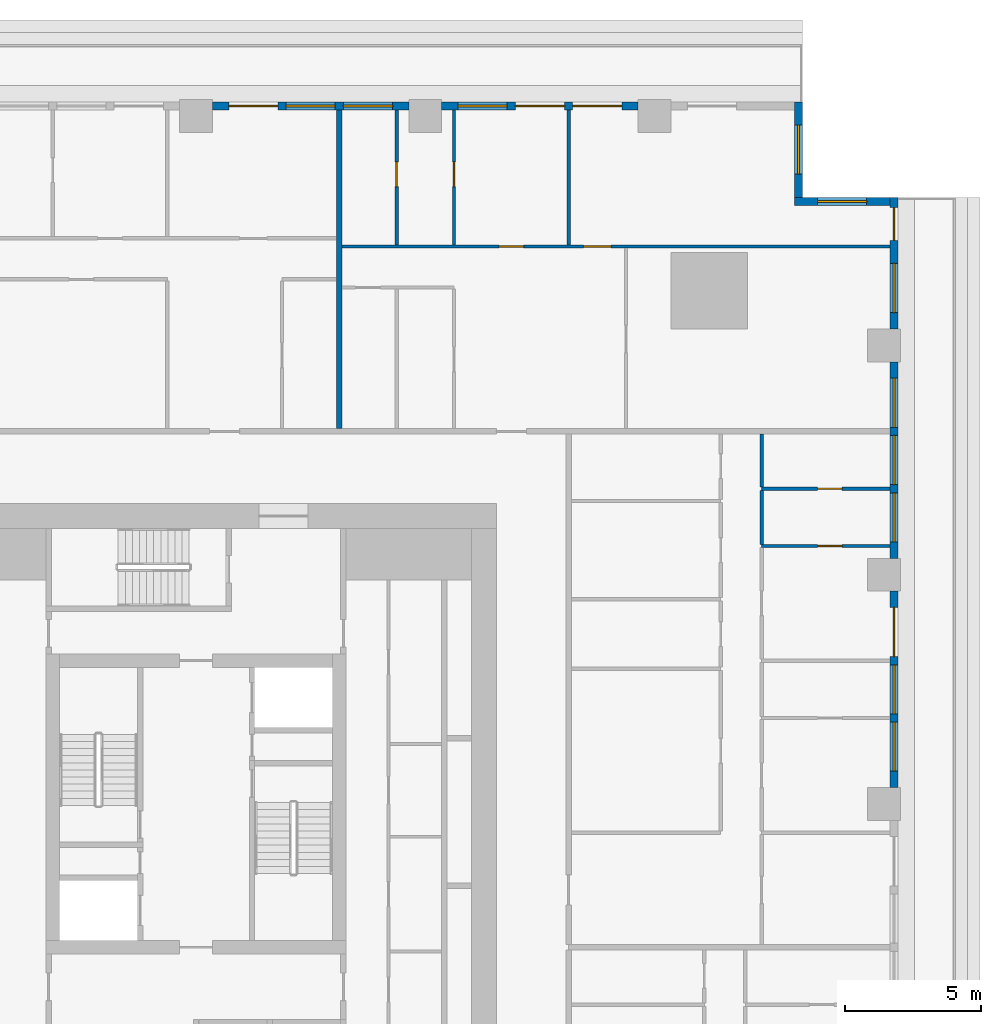
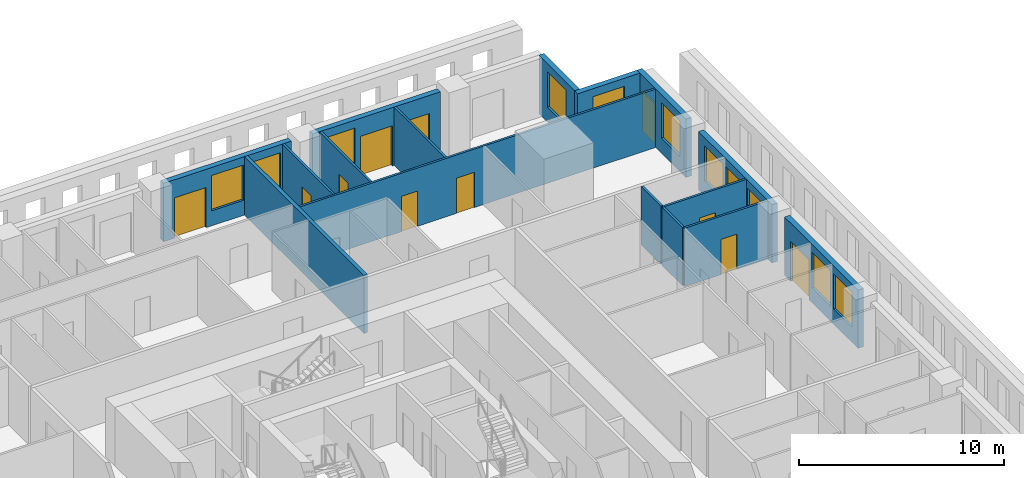
# One storey, part 9 of 15: 16 walls, 11 doors, 11 windows, 22 openings.
"""IFC4 building model written with IfcOpenShell, lengths in metres."""

from ifc_helpers import new_model, si_unit, direction, frame, frame_2d, origin, place, context, subcontext, project, spatial, rectangle, extrude, material, layer, layer_set, type_object, element, fill, save


model = new_model("IFC4")

# Units and contexts
model_context = context("Model", 3, precision=1e-05, world=origin(), true_north=direction((0.0, 1.0)))
body_context = subcontext(model_context, "Body", "Model", "MODEL_VIEW")
ifc_project = project(units=[si_unit("LENGTHUNIT", "METRE"), si_unit("AREAUNIT", "SQUARE_METRE"), si_unit("VOLUMEUNIT", "CUBIC_METRE"), si_unit("PLANEANGLEUNIT", "RADIAN"), si_unit("MASSUNIT", "GRAM", prefix="KILO")], contexts=[model_context])

# Site, building, storey
site_placement = place(None, origin())
site = spatial("IfcSite", under=ifc_project, at=site_placement, CompositionType="ELEMENT")
building_placement = place(site_placement, origin())
building = spatial("IfcBuilding", under=site, at=building_placement, Name="Khepri Terraces", CompositionType="ELEMENT")
storey_placement = place(building_placement, frame((0.0, 0.0, 98.699951171875)))
storey = spatial("IfcBuildingStorey", under=building, at=storey_placement, Name="L23", CompositionType="ELEMENT", Elevation=98.699951171875)

# Wall
ifc_material_1 = material(Name="Fire-rated gypsum plasterboard partition, mineral wool")
ifc_layer_1 = layer(ifc_material_1, 0.199951171875, Name="Fire-rated gypsum plasterboard partition, mineral wool")
ifc_layer_set_1 = layer_set([ifc_layer_1], Name="Fire-rated gypsum plasterboard partition, mineral wool")
wall_type_1 = type_object("IfcWallType", Name="WL-CORR-200", PredefinedType="PARTITIONING", material=ifc_layer_set_1)
wall_1_placement = place(storey_placement, frame((5.25, 13.75, 0.0), z_axis=(0.0, 0.0, 1.0), x_axis=(0.0, 1.0, 0.0)))
element("IfcWall", 1, at=wall_1_placement, inside=storey, type_object=wall_type_1, Name="Partition P-088 L23", PredefinedType="PARTITIONING", context=body_context, shape_type="SweptSolid", body=[
    extrude(rectangle(XDim=11.669921875, YDim=0.199951171875, at=frame_2d((5.8349609375, 0.0))), origin(), (0.0, 0.0, 1.0), 3.47998046875),
])

# Wall, openings, door, windows
ifc_material_2 = material(Name="Precast concrete C50/60 warm stone", Category="masonry")
ifc_layer_2 = layer(ifc_material_2, 0.300048828125, Name="Precast concrete C50/60 warm stone", Category="masonry")
ifc_layer_set_2 = layer_set([ifc_layer_2], Name="Precast concrete C50/60 warm stone")
wall_type_2 = type_object("IfcWallType", Name="WL-EXT-PRECAST-300", PredefinedType="STANDARD", material=ifc_layer_set_2)
wall_2_placement = place(storey_placement, frame((25.570068359375, 0.60009765625, 0.0), z_axis=(0.0, 0.0, 1.0), x_axis=(0.0, 1.0, 0.0)))
wall_2 = element("IfcWall", 2, at=wall_2_placement, inside=storey, type_object=wall_type_2, Name="External wall L23 E", PredefinedType="STANDARD", context=body_context, shape_type="SweptSolid", body=[
    extrude(rectangle(XDim=7.199951171875, YDim=0.300048828125, at=frame_2d((3.60009765625, 0.0))), origin(), (0.0, 0.0, 1.0), 3.47998046875),
])
opening_1_placement = place(wall_2_placement, frame((0.60009765625, 0.0, 0.89990234375)))
opening_1 = element("IfcOpeningElement", 3, at=opening_1_placement, cuts=wall_2, Name="Opening W1", PredefinedType="OPENING", context=body_context, shape_type="SweptSolid", body=[
    extrude(rectangle(XDim=1.800048828125, YDim=2.10009765625, at=frame_2d((0.89990234375, 1.050048828125))), frame((0.0, 0.16015625, 0.0), z_axis=(0.0, -1.0, 0.0), x_axis=(1.0, 0.0, 0.0)), (0.0, 0.0, 1.0), 0.320068359375),
])
opening_2_placement = place(wall_2_placement, frame((2.699951171875, 0.0, 0.89990234375)))
opening_2 = element("IfcOpeningElement", 4, at=opening_2_placement, cuts=wall_2, Name="Opening W1", PredefinedType="OPENING", context=body_context, shape_type="SweptSolid", body=[
    extrude(rectangle(XDim=1.800048828125, YDim=2.10009765625, at=frame_2d((0.89990234375, 1.050048828125))), frame((0.0, 0.16015625, 0.0), z_axis=(0.0, -1.0, 0.0), x_axis=(1.0, 0.0, 0.0)), (0.0, 0.0, 1.0), 0.320068359375),
])
opening_3_placement = place(wall_2_placement, frame((4.800048828125, 0.0, 0.0)))
opening_3 = element("IfcOpeningElement", 5, at=opening_3_placement, cuts=wall_2, Name="Opening ED-L23-05", PredefinedType="OPENING", context=body_context, shape_type="SweptSolid", body=[
    extrude(rectangle(XDim=1.800048828125, YDim=2.39990234375, at=frame_2d((0.89990234375, 1.199951171875))), frame((0.0, 0.16015625, 0.0), z_axis=(0.0, -1.0, 0.0), x_axis=(1.0, 0.0, 0.0)), (0.0, 0.0, 1.0), 0.320068359375),
])
ifc_material_3 = material(Name="Anodised aluminium bronze glazed door", Category="aluminium")
door_type_1 = type_object("IfcDoorType", Name="DR-BAL-SLIDE-1800x2400", OperationType="NOTDEFINED", PredefinedType="DOOR", material=ifc_material_3)
door_1_placement = place(opening_3_placement, origin())
door_1 = element("IfcDoor", 6, at=door_1_placement, inside=storey, type_object=door_type_1, Name="Balcony door L23 E", OperationType="SLIDING_TO_RIGHT", OverallHeight=2.39990234375, OverallWidth=1.800048828125, PredefinedType="DOOR", context=body_context, shape_type="SweptSolid", body=[
    extrude(rectangle(XDim=1.800048828125, YDim=2.39990234375, at=frame_2d((0.89990234375, 1.199951171875))), frame((0.0, 0.02490234375, 0.0), z_axis=(0.0, -1.0, 0.0), x_axis=(1.0, 0.0, 0.0)), (0.0, 0.0, 1.0), 0.050048828125),
])
fill(opening_3, door_1)
ifc_material_4 = material(Name="Clear glass", Category="glass")
window_type = type_object("IfcWindowType", Name="WIN-RES-1800x2100", PartitioningType="SINGLE_PANEL", PredefinedType="WINDOW", material=ifc_material_4)
window_1_placement = place(opening_1_placement, origin())
window_1 = element("IfcWindow", 7, at=window_1_placement, inside=storey, type_object=window_type, Name="Window L23 E", OverallHeight=2.10009765625, OverallWidth=1.800048828125, PartitioningType="SINGLE_PANEL", PredefinedType="WINDOW", context=body_context, shape_type="SweptSolid", body=[
    extrude(rectangle(XDim=1.800048828125, YDim=2.10009765625, at=frame_2d((0.89990234375, 1.050048828125))), frame((0.0, 0.030029296875, 0.0), z_axis=(0.0, -1.0, 0.0), x_axis=(1.0, 0.0, 0.0)), (0.0, 0.0, 1.0), 0.06005859375),
])
fill(opening_1, window_1)
window_2_placement = place(opening_2_placement, origin())
window_2 = element("IfcWindow", 8, at=window_2_placement, inside=storey, type_object=window_type, Name="Window L23 E", OverallHeight=2.10009765625, OverallWidth=1.800048828125, PartitioningType="SINGLE_PANEL", PredefinedType="WINDOW", context=body_context, shape_type="SweptSolid", body=[
    extrude(rectangle(XDim=1.800048828125, YDim=2.10009765625, at=frame_2d((0.89990234375, 1.050048828125))), frame((0.0, 0.030029296875, 0.0), z_axis=(0.0, -1.0, 0.0), x_axis=(1.0, 0.0, 0.0)), (0.0, 0.0, 1.0), 0.06005859375),
])
fill(opening_2, window_2)

# Wall, openings, windows
wall_3_placement = place(storey_placement, frame((25.570068359375, 9.0, 0.0), z_axis=(0.0, 0.0, 1.0), x_axis=(0.0, 1.0, 0.0)))
wall_3 = element("IfcWall", 9, at=wall_3_placement, inside=storey, type_object=wall_type_2, Name="External wall L23 E", PredefinedType="STANDARD", context=body_context, shape_type="SweptSolid", body=[
    extrude(rectangle(XDim=7.199951171875, YDim=0.300048828125, at=frame_2d((3.60009765625, 0.0))), origin(), (0.0, 0.0, 1.0), 3.47998046875),
])
opening_4_placement = place(wall_3_placement, frame((0.60009765625, 0.0, 0.89990234375)))
opening_4 = element("IfcOpeningElement", 10, at=opening_4_placement, cuts=wall_3, Name="Opening W1", PredefinedType="OPENING", context=body_context, shape_type="SweptSolid", body=[
    extrude(rectangle(XDim=1.800048828125, YDim=2.10009765625, at=frame_2d((0.89990234375, 1.050048828125))), frame((0.0, 0.16015625, 0.0), z_axis=(0.0, -1.0, 0.0), x_axis=(1.0, 0.0, 0.0)), (0.0, 0.0, 1.0), 0.320068359375),
])
opening_5_placement = place(wall_3_placement, frame((2.699951171875, 0.0, 0.89990234375)))
opening_5 = element("IfcOpeningElement", 11, at=opening_5_placement, cuts=wall_3, Name="Opening W1", PredefinedType="OPENING", context=body_context, shape_type="SweptSolid", body=[
    extrude(rectangle(XDim=1.800048828125, YDim=2.10009765625, at=frame_2d((0.89990234375, 1.050048828125))), frame((0.0, 0.16015625, 0.0), z_axis=(0.0, -1.0, 0.0), x_axis=(1.0, 0.0, 0.0)), (0.0, 0.0, 1.0), 0.320068359375),
])
opening_6_placement = place(wall_3_placement, frame((4.800048828125, 0.0, 0.89990234375)))
opening_6 = element("IfcOpeningElement", 12, at=opening_6_placement, cuts=wall_3, Name="Opening W1", PredefinedType="OPENING", context=body_context, shape_type="SweptSolid", body=[
    extrude(rectangle(XDim=1.800048828125, YDim=2.10009765625, at=frame_2d((0.89990234375, 1.050048828125))), frame((0.0, 0.16015625, 0.0), z_axis=(0.0, -1.0, 0.0), x_axis=(1.0, 0.0, 0.0)), (0.0, 0.0, 1.0), 0.320068359375),
])
window_3_placement = place(opening_4_placement, origin())
window_3 = element("IfcWindow", 13, at=window_3_placement, inside=storey, type_object=window_type, Name="Window L23 E", OverallHeight=2.10009765625, OverallWidth=1.800048828125, PartitioningType="SINGLE_PANEL", PredefinedType="WINDOW", context=body_context, shape_type="SweptSolid", body=[
    extrude(rectangle(XDim=1.800048828125, YDim=2.10009765625, at=frame_2d((0.89990234375, 1.050048828125))), frame((0.0, 0.030029296875, 0.0), z_axis=(0.0, -1.0, 0.0), x_axis=(1.0, 0.0, 0.0)), (0.0, 0.0, 1.0), 0.06005859375),
])
fill(opening_4, window_3)
window_4_placement = place(opening_5_placement, origin())
window_4 = element("IfcWindow", 14, at=window_4_placement, inside=storey, type_object=window_type, Name="Window L23 E", OverallHeight=2.10009765625, OverallWidth=1.800048828125, PartitioningType="SINGLE_PANEL", PredefinedType="WINDOW", context=body_context, shape_type="SweptSolid", body=[
    extrude(rectangle(XDim=1.800048828125, YDim=2.10009765625, at=frame_2d((0.89990234375, 1.050048828125))), frame((0.0, 0.030029296875, 0.0), z_axis=(0.0, -1.0, 0.0), x_axis=(1.0, 0.0, 0.0)), (0.0, 0.0, 1.0), 0.06005859375),
])
fill(opening_5, window_4)
window_5_placement = place(opening_6_placement, origin())
window_5 = element("IfcWindow", 15, at=window_5_placement, inside=storey, type_object=window_type, Name="Window L23 E", OverallHeight=2.10009765625, OverallWidth=1.800048828125, PartitioningType="SINGLE_PANEL", PredefinedType="WINDOW", context=body_context, shape_type="SweptSolid", body=[
    extrude(rectangle(XDim=1.800048828125, YDim=2.10009765625, at=frame_2d((0.89990234375, 1.050048828125))), frame((0.0, 0.030029296875, 0.0), z_axis=(0.0, -1.0, 0.0), x_axis=(1.0, 0.0, 0.0)), (0.0, 0.0, 1.0), 0.06005859375),
])
fill(opening_6, window_5)

# Wall, openings, door, window
wall_4_placement = place(storey_placement, frame((25.570068359375, 17.39990234375, 0.0), z_axis=(0.0, 0.0, 1.0), x_axis=(0.0, 1.0, 0.0)))
wall_4 = element("IfcWall", 16, at=wall_4_placement, inside=storey, type_object=wall_type_2, Name="External wall L23 E", PredefinedType="STANDARD", context=body_context, shape_type="SweptSolid", body=[
    extrude(rectangle(XDim=4.820068359375, YDim=0.300048828125, at=frame_2d((2.41015625, 0.0))), origin(), (0.0, 0.0, 1.0), 3.47998046875),
])
opening_7_placement = place(wall_4_placement, frame((0.60009765625, 0.0, 0.89990234375)))
opening_7 = element("IfcOpeningElement", 17, at=opening_7_placement, cuts=wall_4, Name="Opening W1", PredefinedType="OPENING", context=body_context, shape_type="SweptSolid", body=[
    extrude(rectangle(XDim=1.800048828125, YDim=2.10009765625, at=frame_2d((0.89990234375, 1.050048828125))), frame((0.0, 0.16015625, 0.0), z_axis=(0.0, -1.0, 0.0), x_axis=(1.0, 0.0, 0.0)), (0.0, 0.0, 1.0), 0.320068359375),
])
opening_8_placement = place(wall_4_placement, frame((3.2451171875, 0.0, 0.0)))
opening_8 = element("IfcOpeningElement", 18, at=opening_8_placement, cuts=wall_4, Name="Opening ED-L23-06", PredefinedType="OPENING", context=body_context, shape_type="SweptSolid", body=[
    extrude(rectangle(XDim=1.199951171875, YDim=2.39990234375, at=frame_2d((0.60009765625, 1.199951171875))), frame((0.0, 0.16015625, 0.0), z_axis=(0.0, -1.0, 0.0), x_axis=(1.0, 0.0, 0.0)), (0.0, 0.0, 1.0), 0.320068359375),
])
door_type_2 = type_object("IfcDoorType", Name="DR-BAL-SLIDE-1200x2400", OperationType="NOTDEFINED", PredefinedType="DOOR", material=ifc_material_3)
door_2_placement = place(opening_8_placement, origin())
door_2 = element("IfcDoor", 19, at=door_2_placement, inside=storey, type_object=door_type_2, Name="Balcony door L23 E", OperationType="SLIDING_TO_RIGHT", OverallHeight=2.39990234375, OverallWidth=1.199951171875, PredefinedType="DOOR", context=body_context, shape_type="SweptSolid", body=[
    extrude(rectangle(XDim=1.199951171875, YDim=2.39990234375, at=frame_2d((0.60009765625, 1.199951171875))), frame((0.0, 0.02490234375, 0.0), z_axis=(0.0, -1.0, 0.0), x_axis=(1.0, 0.0, 0.0)), (0.0, 0.0, 1.0), 0.050048828125),
])
fill(opening_8, door_2)
window_6_placement = place(opening_7_placement, origin())
window_6 = element("IfcWindow", 20, at=window_6_placement, inside=storey, type_object=window_type, Name="Window L23 E", OverallHeight=2.10009765625, OverallWidth=1.800048828125, PartitioningType="SINGLE_PANEL", PredefinedType="WINDOW", context=body_context, shape_type="SweptSolid", body=[
    extrude(rectangle(XDim=1.800048828125, YDim=2.10009765625, at=frame_2d((0.89990234375, 1.050048828125))), frame((0.0, 0.030029296875, 0.0), z_axis=(0.0, -1.0, 0.0), x_axis=(1.0, 0.0, 0.0)), (0.0, 0.0, 1.0), 0.06005859375),
])
fill(opening_7, window_6)

# Wall, opening, window
wall_5_placement = place(storey_placement, frame((25.419921875, 22.070068359375, 0.0), z_axis=(0.0, 0.0, 1.0), x_axis=(-1.0, 0.0, 0.0)))
wall_5 = element("IfcWall", 21, at=wall_5_placement, inside=storey, type_object=wall_type_2, Name="External wall L23 N", PredefinedType="STANDARD", context=body_context, shape_type="SweptSolid", body=[
    extrude(rectangle(XDim=3.5, YDim=0.300048828125, at=frame_2d((1.75, 0.0))), origin(), (0.0, 0.0, 1.0), 3.47998046875),
])
opening_9_placement = place(wall_5_placement, frame((0.85009765625, 0.0, 0.89990234375)))
opening_9 = element("IfcOpeningElement", 22, at=opening_9_placement, cuts=wall_5, Name="Opening W1", PredefinedType="OPENING", context=body_context, shape_type="SweptSolid", body=[
    extrude(rectangle(XDim=1.800048828125, YDim=2.10009765625, at=frame_2d((0.89990234375, 1.050048828125))), frame((0.0, 0.16015625, 0.0), z_axis=(0.0, -1.0, 0.0), x_axis=(1.0, 0.0, 0.0)), (0.0, 0.0, 1.0), 0.320068359375),
])
window_7_placement = place(opening_9_placement, origin())
window_7 = element("IfcWindow", 23, at=window_7_placement, inside=storey, type_object=window_type, Name="Window L23 N", OverallHeight=2.10009765625, OverallWidth=1.800048828125, PartitioningType="SINGLE_PANEL", PredefinedType="WINDOW", context=body_context, shape_type="SweptSolid", body=[
    extrude(rectangle(XDim=1.800048828125, YDim=2.10009765625, at=frame_2d((0.89990234375, 1.050048828125))), frame((0.0, 0.030029296875, 0.0), z_axis=(0.0, -1.0, 0.0), x_axis=(1.0, 0.0, 0.0)), (0.0, 0.0, 1.0), 0.06005859375),
])
fill(opening_9, window_7)

wall_6_placement = place(storey_placement, frame((22.070068359375, 22.219970703125, 0.0), z_axis=(0.0, 0.0, 1.0), x_axis=(0.0, 1.0, 0.0)))
wall_6 = element("IfcWall", 24, at=wall_6_placement, inside=storey, type_object=wall_type_2, Name="External wall L23 E", PredefinedType="STANDARD", context=body_context, shape_type="SweptSolid", body=[
    extrude(rectangle(XDim=3.5, YDim=0.300048828125, at=frame_2d((1.75, 0.0))), origin(), (0.0, 0.0, 1.0), 3.47998046875),
])
opening_10_placement = place(wall_6_placement, frame((0.85009765625, 0.0, 0.89990234375)))
opening_10 = element("IfcOpeningElement", 25, at=opening_10_placement, cuts=wall_6, Name="Opening W1", PredefinedType="OPENING", context=body_context, shape_type="SweptSolid", body=[
    extrude(rectangle(XDim=1.800048828125, YDim=2.10009765625, at=frame_2d((0.89990234375, 1.050048828125))), frame((0.0, 0.16015625, 0.0), z_axis=(0.0, -1.0, 0.0), x_axis=(1.0, 0.0, 0.0)), (0.0, 0.0, 1.0), 0.320068359375),
])
window_8_placement = place(opening_10_placement, origin())
window_8 = element("IfcWindow", 26, at=window_8_placement, inside=storey, type_object=window_type, Name="Window L23 E", OverallHeight=2.10009765625, OverallWidth=1.800048828125, PartitioningType="SINGLE_PANEL", PredefinedType="WINDOW", context=body_context, shape_type="SweptSolid", body=[
    extrude(rectangle(XDim=1.800048828125, YDim=2.10009765625, at=frame_2d((0.89990234375, 1.050048828125))), frame((0.0, 0.030029296875, 0.0), z_axis=(0.0, -1.0, 0.0), x_axis=(1.0, 0.0, 0.0)), (0.0, 0.0, 1.0), 0.06005859375),
])
fill(opening_10, window_8)

# Wall, openings, doors, window
wall_7_placement = place(storey_placement, frame((16.199951171875, 25.570068359375, 0.0), z_axis=(0.0, 0.0, 1.0), x_axis=(-1.0, 0.0, 0.0)))
wall_7 = element("IfcWall", 27, at=wall_7_placement, inside=storey, type_object=wall_type_2, Name="External wall L23 N", PredefinedType="STANDARD", context=body_context, shape_type="SweptSolid", body=[
    extrude(rectangle(XDim=7.199951171875, YDim=0.300048828125, at=frame_2d((3.60009765625, 0.0))), origin(), (0.0, 0.0, 1.0), 3.47998046875),
])
opening_11_placement = place(wall_7_placement, frame((0.60009765625, 0.0, 0.0)))
opening_11 = element("IfcOpeningElement", 28, at=opening_11_placement, cuts=wall_7, Name="Opening ED-L23-08", PredefinedType="OPENING", context=body_context, shape_type="SweptSolid", body=[
    extrude(rectangle(XDim=1.800048828125, YDim=2.39990234375, at=frame_2d((0.89990234375, 1.199951171875))), frame((0.0, 0.16015625, 0.0), z_axis=(0.0, -1.0, 0.0), x_axis=(1.0, 0.0, 0.0)), (0.0, 0.0, 1.0), 0.320068359375),
])
opening_12_placement = place(wall_7_placement, frame((2.699951171875, 0.0, 0.0)))
opening_12 = element("IfcOpeningElement", 29, at=opening_12_placement, cuts=wall_7, Name="Opening ED-L23-09", PredefinedType="OPENING", context=body_context, shape_type="SweptSolid", body=[
    extrude(rectangle(XDim=1.800048828125, YDim=2.39990234375, at=frame_2d((0.89990234375, 1.199951171875))), frame((0.0, 0.16015625, 0.0), z_axis=(0.0, -1.0, 0.0), x_axis=(1.0, 0.0, 0.0)), (0.0, 0.0, 1.0), 0.320068359375),
])
opening_13_placement = place(wall_7_placement, frame((4.800048828125, 0.0, 0.89990234375)))
opening_13 = element("IfcOpeningElement", 30, at=opening_13_placement, cuts=wall_7, Name="Opening W1", PredefinedType="OPENING", context=body_context, shape_type="SweptSolid", body=[
    extrude(rectangle(XDim=1.800048828125, YDim=2.10009765625, at=frame_2d((0.89990234375, 1.050048828125))), frame((0.0, 0.16015625, 0.0), z_axis=(0.0, -1.0, 0.0), x_axis=(1.0, 0.0, 0.0)), (0.0, 0.0, 1.0), 0.320068359375),
])
door_3_placement = place(opening_11_placement, origin())
door_3 = element("IfcDoor", 31, at=door_3_placement, inside=storey, type_object=door_type_1, Name="Balcony door L23 N", OperationType="SLIDING_TO_LEFT", OverallHeight=2.39990234375, OverallWidth=1.800048828125, PredefinedType="DOOR", context=body_context, shape_type="SweptSolid", body=[
    extrude(rectangle(XDim=1.800048828125, YDim=2.39990234375, at=frame_2d((0.89990234375, 1.199951171875))), frame((0.0, 0.02490234375, 0.0), z_axis=(0.0, -1.0, 0.0), x_axis=(1.0, 0.0, 0.0)), (0.0, 0.0, 1.0), 0.050048828125),
])
fill(opening_11, door_3)
door_4_placement = place(opening_12_placement, origin())
door_4 = element("IfcDoor", 32, at=door_4_placement, inside=storey, type_object=door_type_1, Name="Balcony door L23 N", OperationType="SLIDING_TO_RIGHT", OverallHeight=2.39990234375, OverallWidth=1.800048828125, PredefinedType="DOOR", context=body_context, shape_type="SweptSolid", body=[
    extrude(rectangle(XDim=1.800048828125, YDim=2.39990234375, at=frame_2d((0.89990234375, 1.199951171875))), frame((0.0, 0.02490234375, 0.0), z_axis=(0.0, -1.0, 0.0), x_axis=(1.0, 0.0, 0.0)), (0.0, 0.0, 1.0), 0.050048828125),
])
fill(opening_12, door_4)
window_9_placement = place(opening_13_placement, origin())
window_9 = element("IfcWindow", 33, at=window_9_placement, inside=storey, type_object=window_type, Name="Window L23 N", OverallHeight=2.10009765625, OverallWidth=1.800048828125, PartitioningType="SINGLE_PANEL", PredefinedType="WINDOW", context=body_context, shape_type="SweptSolid", body=[
    extrude(rectangle(XDim=1.800048828125, YDim=2.10009765625, at=frame_2d((0.89990234375, 1.050048828125))), frame((0.0, 0.030029296875, 0.0), z_axis=(0.0, -1.0, 0.0), x_axis=(1.0, 0.0, 0.0)), (0.0, 0.0, 1.0), 0.06005859375),
])
fill(opening_13, window_9)

# Wall, openings, door, windows
wall_8_placement = place(storey_placement, frame((7.800048828125, 25.570068359375, 0.0), z_axis=(0.0, 0.0, 1.0), x_axis=(-1.0, 0.0, 0.0)))
wall_8 = element("IfcWall", 34, at=wall_8_placement, inside=storey, type_object=wall_type_2, Name="External wall L23 N", PredefinedType="STANDARD", context=body_context, shape_type="SweptSolid", body=[
    extrude(rectangle(XDim=7.199951171875, YDim=0.300048828125, at=frame_2d((3.60009765625, 0.0))), origin(), (0.0, 0.0, 1.0), 3.47998046875),
])
opening_14_placement = place(wall_8_placement, frame((0.60009765625, 0.0, 0.89990234375)))
opening_14 = element("IfcOpeningElement", 35, at=opening_14_placement, cuts=wall_8, Name="Opening W1", PredefinedType="OPENING", context=body_context, shape_type="SweptSolid", body=[
    extrude(rectangle(XDim=1.800048828125, YDim=2.10009765625, at=frame_2d((0.89990234375, 1.050048828125))), frame((0.0, 0.16015625, 0.0), z_axis=(0.0, -1.0, 0.0), x_axis=(1.0, 0.0, 0.0)), (0.0, 0.0, 1.0), 0.320068359375),
])
opening_15_placement = place(wall_8_placement, frame((2.699951171875, 0.0, 0.89990234375)))
opening_15 = element("IfcOpeningElement", 36, at=opening_15_placement, cuts=wall_8, Name="Opening W1", PredefinedType="OPENING", context=body_context, shape_type="SweptSolid", body=[
    extrude(rectangle(XDim=1.800048828125, YDim=2.10009765625, at=frame_2d((0.89990234375, 1.050048828125))), frame((0.0, 0.16015625, 0.0), z_axis=(0.0, -1.0, 0.0), x_axis=(1.0, 0.0, 0.0)), (0.0, 0.0, 1.0), 0.320068359375),
])
opening_16_placement = place(wall_8_placement, frame((4.800048828125, 0.0, 0.0)))
opening_16 = element("IfcOpeningElement", 37, at=opening_16_placement, cuts=wall_8, Name="Opening ED-L23-10", PredefinedType="OPENING", context=body_context, shape_type="SweptSolid", body=[
    extrude(rectangle(XDim=1.800048828125, YDim=2.39990234375, at=frame_2d((0.89990234375, 1.199951171875))), frame((0.0, 0.16015625, 0.0), z_axis=(0.0, -1.0, 0.0), x_axis=(1.0, 0.0, 0.0)), (0.0, 0.0, 1.0), 0.320068359375),
])
door_5_placement = place(opening_16_placement, origin())
door_5 = element("IfcDoor", 38, at=door_5_placement, inside=storey, type_object=door_type_1, Name="Balcony door L23 N", OperationType="SLIDING_TO_RIGHT", OverallHeight=2.39990234375, OverallWidth=1.800048828125, PredefinedType="DOOR", context=body_context, shape_type="SweptSolid", body=[
    extrude(rectangle(XDim=1.800048828125, YDim=2.39990234375, at=frame_2d((0.89990234375, 1.199951171875))), frame((0.0, 0.02490234375, 0.0), z_axis=(0.0, -1.0, 0.0), x_axis=(1.0, 0.0, 0.0)), (0.0, 0.0, 1.0), 0.050048828125),
])
fill(opening_16, door_5)
window_10_placement = place(opening_14_placement, origin())
window_10 = element("IfcWindow", 39, at=window_10_placement, inside=storey, type_object=window_type, Name="Window L23 N", OverallHeight=2.10009765625, OverallWidth=1.800048828125, PartitioningType="SINGLE_PANEL", PredefinedType="WINDOW", context=body_context, shape_type="SweptSolid", body=[
    extrude(rectangle(XDim=1.800048828125, YDim=2.10009765625, at=frame_2d((0.89990234375, 1.050048828125))), frame((0.0, 0.030029296875, 0.0), z_axis=(0.0, -1.0, 0.0), x_axis=(1.0, 0.0, 0.0)), (0.0, 0.0, 1.0), 0.06005859375),
])
fill(opening_14, window_10)
window_11_placement = place(opening_15_placement, origin())
window_11 = element("IfcWindow", 40, at=window_11_placement, inside=storey, type_object=window_type, Name="Window L23 N", OverallHeight=2.10009765625, OverallWidth=1.800048828125, PartitioningType="SINGLE_PANEL", PredefinedType="WINDOW", context=body_context, shape_type="SweptSolid", body=[
    extrude(rectangle(XDim=1.800048828125, YDim=2.10009765625, at=frame_2d((0.89990234375, 1.050048828125))), frame((0.0, 0.030029296875, 0.0), z_axis=(0.0, -1.0, 0.0), x_axis=(1.0, 0.0, 0.0)), (0.0, 0.0, 1.0), 0.06005859375),
])
fill(opening_15, window_11)

# Wall, opening, door
ifc_material_5 = material(Name="Gypsum plasterboard partition")
ifc_layer_3 = layer(ifc_material_5, 0.1201171875, Name="Gypsum plasterboard partition")
ifc_layer_set_3 = layer_set([ifc_layer_3], Name="Gypsum plasterboard partition")
wall_type_3 = type_object("IfcWallType", Name="WL-PART-120", PredefinedType="PARTITIONING", material=ifc_layer_set_3)
wall_9_placement = place(storey_placement, frame((20.719970703125, 9.449951171875, 0.0), z_axis=(0.0, 0.0, 1.0), x_axis=(1.0, 0.0, 0.0)))
wall_9 = element("IfcWall", 41, at=wall_9_placement, inside=storey, type_object=wall_type_3, Name="Partition P-073 L23", PredefinedType="PARTITIONING", context=body_context, shape_type="SweptSolid", body=[
    extrude(rectangle(XDim=4.699951171875, YDim=0.1201171875, at=frame_2d((2.35009765625, 0.0))), origin(), (0.0, 0.0, 1.0), 3.47998046875),
])
opening_17_placement = place(wall_9_placement, frame((2.050048828125, 0.0, 0.0)))
opening_17 = element("IfcOpeningElement", 42, at=opening_17_placement, cuts=wall_9, Name="Opening D3", PredefinedType="OPENING", context=body_context, shape_type="SweptSolid", body=[
    extrude(rectangle(XDim=0.89990234375, YDim=2.10009765625, at=frame_2d((0.449951171875, 1.050048828125))), frame((0.0, 0.070068359375, 0.0), z_axis=(0.0, -1.0, 0.0), x_axis=(1.0, 0.0, 0.0)), (0.0, 0.0, 1.0), 0.14013671875),
])
ifc_material_6 = material(Name="Timber door leaf", Category="wood")
door_type_3 = type_object("IfcDoorType", Name="DR-INT-900", OperationType="NOTDEFINED", PredefinedType="DOOR", material=ifc_material_6)
door_6_placement = place(opening_17_placement, origin())
door_6 = element("IfcDoor", 43, at=door_6_placement, inside=storey, type_object=door_type_3, Name="Door Dressing Room", OperationType="SINGLE_SWING_RIGHT", OverallHeight=2.10009765625, OverallWidth=0.89990234375, PredefinedType="DOOR", context=body_context, shape_type="SweptSolid", body=[
    extrude(rectangle(XDim=0.89990234375, YDim=2.10009765625, at=frame_2d((0.449951171875, 1.050048828125))), frame((0.0, 0.02490234375, 0.0), z_axis=(0.0, -1.0, 0.0), x_axis=(1.0, 0.0, 0.0)), (0.0, 0.0, 1.0), 0.050048828125),
])
fill(opening_17, door_6)

# Wall
wall_10_placement = place(storey_placement, frame((20.719970703125, 9.510009765625, 0.0), z_axis=(0.0, 0.0, 1.0), x_axis=(0.0, 1.0, 0.0)))
element("IfcWall", 44, at=wall_10_placement, inside=storey, type_object=wall_type_3, Name="Partition P-074 L23", PredefinedType="PARTITIONING", context=body_context, shape_type="SweptSolid", body=[
    extrude(rectangle(XDim=1.97998046875, YDim=0.1201171875, at=frame_2d((0.989990234375, 0.0))), origin(), (0.0, 0.0, 1.0), 3.47998046875),
])

# Wall, opening, door
wall_11_placement = place(storey_placement, frame((20.719970703125, 11.550048828125, 0.0), z_axis=(0.0, 0.0, 1.0), x_axis=(1.0, 0.0, 0.0)))
wall_11 = element("IfcWall", 45, at=wall_11_placement, inside=storey, type_object=wall_type_3, Name="Partition P-078 L23", PredefinedType="PARTITIONING", context=body_context, shape_type="SweptSolid", body=[
    extrude(rectangle(XDim=4.699951171875, YDim=0.1201171875, at=frame_2d((2.35009765625, 0.0))), origin(), (0.0, 0.0, 1.0), 3.47998046875),
])
opening_18_placement = place(wall_11_placement, frame((2.050048828125, 0.0, 0.0)))
opening_18 = element("IfcOpeningElement", 46, at=opening_18_placement, cuts=wall_11, Name="Opening D4", PredefinedType="OPENING", context=body_context, shape_type="SweptSolid", body=[
    extrude(rectangle(XDim=0.89990234375, YDim=2.10009765625, at=frame_2d((0.449951171875, 1.050048828125))), frame((0.0, 0.070068359375, 0.0), z_axis=(0.0, -1.0, 0.0), x_axis=(1.0, 0.0, 0.0)), (0.0, 0.0, 1.0), 0.14013671875),
])
ifc_material_7 = material(Name="Timber door leaf, moisture resistant", Category="wood")
door_type_4 = type_object("IfcDoorType", Name="DR-WET-900", OperationType="NOTDEFINED", PredefinedType="DOOR", material=ifc_material_7)
door_7_placement = place(opening_18_placement, origin())
door_7 = element("IfcDoor", 47, at=door_7_placement, inside=storey, type_object=door_type_4, Name="Door Bathroom", OperationType="SINGLE_SWING_RIGHT", OverallHeight=2.10009765625, OverallWidth=0.89990234375, PredefinedType="DOOR", context=body_context, shape_type="SweptSolid", body=[
    extrude(rectangle(XDim=0.89990234375, YDim=2.10009765625, at=frame_2d((0.449951171875, 1.050048828125))), frame((0.0, 0.02490234375, 0.0), z_axis=(0.0, -1.0, 0.0), x_axis=(1.0, 0.0, 0.0)), (0.0, 0.0, 1.0), 0.050048828125),
])
fill(opening_18, door_7)

# Wall
wall_12_placement = place(storey_placement, frame((20.719970703125, 11.610107421875, 0.0), z_axis=(0.0, 0.0, 1.0), x_axis=(0.0, 1.0, 0.0)))
element("IfcWall", 48, at=wall_12_placement, inside=storey, type_object=wall_type_3, Name="Partition P-080 L23", PredefinedType="PARTITIONING", context=body_context, shape_type="SweptSolid", body=[
    extrude(rectangle(XDim=1.93994140625, YDim=0.1201171875, at=frame_2d((0.969970703125, 0.0))), origin(), (0.0, 0.0, 1.0), 3.47998046875),
])

# Wall, openings, doors
wall_13_placement = place(storey_placement, frame((5.35009765625, 20.419921875, 0.0), z_axis=(0.0, 0.0, 1.0), x_axis=(1.0, 0.0, 0.0)))
wall_13 = element("IfcWall", 49, at=wall_13_placement, inside=storey, type_object=wall_type_3, Name="Partition P-097 L23", PredefinedType="PARTITIONING", context=body_context, shape_type="SweptSolid", body=[
    extrude(rectangle(XDim=20.06982421875, YDim=0.1201171875, at=frame_2d((10.034912109375, 0.0))), origin(), (0.0, 0.0, 1.0), 3.47998046875),
])
opening_19_placement = place(wall_13_placement, frame((8.85009765625, 0.0, 0.0)))
opening_19 = element("IfcOpeningElement", 50, at=opening_19_placement, cuts=wall_13, Name="Opening D2", PredefinedType="OPENING", context=body_context, shape_type="SweptSolid", body=[
    extrude(rectangle(XDim=1.0, YDim=2.10009765625, at=frame_2d((0.5, 1.050048828125))), frame((0.0, 0.070068359375, 0.0), z_axis=(0.0, -1.0, 0.0), x_axis=(1.0, 0.0, 0.0)), (0.0, 0.0, 1.0), 0.14013671875),
])
opening_20_placement = place(wall_13_placement, frame((5.75, 0.0, 0.0)))
opening_20 = element("IfcOpeningElement", 51, at=opening_20_placement, cuts=wall_13, Name="Opening D3", PredefinedType="OPENING", context=body_context, shape_type="SweptSolid", body=[
    extrude(rectangle(XDim=0.89990234375, YDim=2.10009765625, at=frame_2d((0.449951171875, 1.050048828125))), frame((0.0, 0.070068359375, 0.0), z_axis=(0.0, -1.0, 0.0), x_axis=(1.0, 0.0, 0.0)), (0.0, 0.0, 1.0), 0.14013671875),
])
ifc_material_8 = material(Name="Timber door leaf, living room door", Category="wood")
door_type_5 = type_object("IfcDoorType", Name="DR-INT-1000", OperationType="NOTDEFINED", PredefinedType="DOOR", material=ifc_material_8)
door_8_placement = place(opening_19_placement, origin())
door_8 = element("IfcDoor", 52, at=door_8_placement, inside=storey, type_object=door_type_5, Name="Door Living Room", OperationType="SINGLE_SWING_LEFT", OverallHeight=2.10009765625, OverallWidth=1.0, PredefinedType="DOOR", context=body_context, shape_type="SweptSolid", body=[
    extrude(rectangle(XDim=1.0, YDim=2.10009765625, at=frame_2d((0.5, 1.050048828125))), frame((0.0, 0.02490234375, 0.0), z_axis=(0.0, -1.0, 0.0), x_axis=(1.0, 0.0, 0.0)), (0.0, 0.0, 1.0), 0.050048828125),
])
fill(opening_19, door_8)
door_9_placement = place(opening_20_placement, origin())
door_9 = element("IfcDoor", 53, at=door_9_placement, inside=storey, type_object=door_type_3, Name="Door Master Bedroom", OperationType="SINGLE_SWING_LEFT", OverallHeight=2.10009765625, OverallWidth=0.89990234375, PredefinedType="DOOR", context=body_context, shape_type="SweptSolid", body=[
    extrude(rectangle(XDim=0.89990234375, YDim=2.10009765625, at=frame_2d((0.449951171875, 1.050048828125))), frame((0.0, 0.02490234375, 0.0), z_axis=(0.0, -1.0, 0.0), x_axis=(1.0, 0.0, 0.0)), (0.0, 0.0, 1.0), 0.050048828125),
])
fill(opening_20, door_9)

# Wall, opening, door
wall_14_placement = place(storey_placement, frame((7.35009765625, 20.47998046875, 0.0), z_axis=(0.0, 0.0, 1.0), x_axis=(0.0, 1.0, 0.0)))
wall_14 = element("IfcWall", 54, at=wall_14_placement, inside=storey, type_object=wall_type_3, Name="Partition P-098 L23", PredefinedType="PARTITIONING", context=body_context, shape_type="SweptSolid", body=[
    extrude(rectangle(XDim=4.93994140625, YDim=0.1201171875, at=frame_2d((2.469970703125, 0.0))), origin(), (0.0, 0.0, 1.0), 3.47998046875),
])
opening_21_placement = place(wall_14_placement, frame((2.139892578125, 0.0, 0.0)))
opening_21 = element("IfcOpeningElement", 55, at=opening_21_placement, cuts=wall_14, Name="Opening D4", PredefinedType="OPENING", context=body_context, shape_type="SweptSolid", body=[
    extrude(rectangle(XDim=0.89990234375, YDim=2.10009765625, at=frame_2d((0.449951171875, 1.050048828125))), frame((0.0, 0.070068359375, 0.0), z_axis=(0.0, -1.0, 0.0), x_axis=(1.0, 0.0, 0.0)), (0.0, 0.0, 1.0), 0.14013671875),
])
door_10_placement = place(opening_21_placement, origin())
door_10 = element("IfcDoor", 56, at=door_10_placement, inside=storey, type_object=door_type_4, Name="Door Bathroom", OperationType="SINGLE_SWING_RIGHT", OverallHeight=2.10009765625, OverallWidth=0.89990234375, PredefinedType="DOOR", context=body_context, shape_type="SweptSolid", body=[
    extrude(rectangle(XDim=0.89990234375, YDim=2.10009765625, at=frame_2d((0.449951171875, 1.050048828125))), frame((0.0, 0.02490234375, 0.0), z_axis=(0.0, -1.0, 0.0), x_axis=(1.0, 0.0, 0.0)), (0.0, 0.0, 1.0), 0.050048828125),
])
fill(opening_21, door_10)

wall_15_placement = place(storey_placement, frame((9.449951171875, 20.47998046875, 0.0), z_axis=(0.0, 0.0, 1.0), x_axis=(0.0, 1.0, 0.0)))
wall_15 = element("IfcWall", 57, at=wall_15_placement, inside=storey, type_object=wall_type_3, Name="Partition P-099 L23", PredefinedType="PARTITIONING", context=body_context, shape_type="SweptSolid", body=[
    extrude(rectangle(XDim=4.93994140625, YDim=0.1201171875, at=frame_2d((2.469970703125, 0.0))), origin(), (0.0, 0.0, 1.0), 3.47998046875),
])
opening_22_placement = place(wall_15_placement, frame((2.139892578125, 0.0, 0.0)))
opening_22 = element("IfcOpeningElement", 58, at=opening_22_placement, cuts=wall_15, Name="Opening D3", PredefinedType="OPENING", context=body_context, shape_type="SweptSolid", body=[
    extrude(rectangle(XDim=0.89990234375, YDim=2.10009765625, at=frame_2d((0.449951171875, 1.050048828125))), frame((0.0, 0.070068359375, 0.0), z_axis=(0.0, -1.0, 0.0), x_axis=(1.0, 0.0, 0.0)), (0.0, 0.0, 1.0), 0.14013671875),
])
door_11_placement = place(opening_22_placement, origin())
door_11 = element("IfcDoor", 59, at=door_11_placement, inside=storey, type_object=door_type_3, Name="Door Dressing Room", OperationType="SINGLE_SWING_RIGHT", OverallHeight=2.10009765625, OverallWidth=0.89990234375, PredefinedType="DOOR", context=body_context, shape_type="SweptSolid", body=[
    extrude(rectangle(XDim=0.89990234375, YDim=2.10009765625, at=frame_2d((0.449951171875, 1.050048828125))), frame((0.0, 0.02490234375, 0.0), z_axis=(0.0, -1.0, 0.0), x_axis=(1.0, 0.0, 0.0)), (0.0, 0.0, 1.0), 0.050048828125),
])
fill(opening_22, door_11)

# Wall
wall_16_placement = place(storey_placement, frame((13.64990234375, 20.47998046875, 0.0), z_axis=(0.0, 0.0, 1.0), x_axis=(0.0, 1.0, 0.0)))
element("IfcWall", 60, at=wall_16_placement, inside=storey, type_object=wall_type_3, Name="Partition P-100 L23", PredefinedType="PARTITIONING", context=body_context, shape_type="SweptSolid", body=[
    extrude(rectangle(XDim=4.93994140625, YDim=0.1201171875, at=frame_2d((2.469970703125, 0.0))), origin(), (0.0, 0.0, 1.0), 3.47998046875),
])

save(model, "model.ifc")
